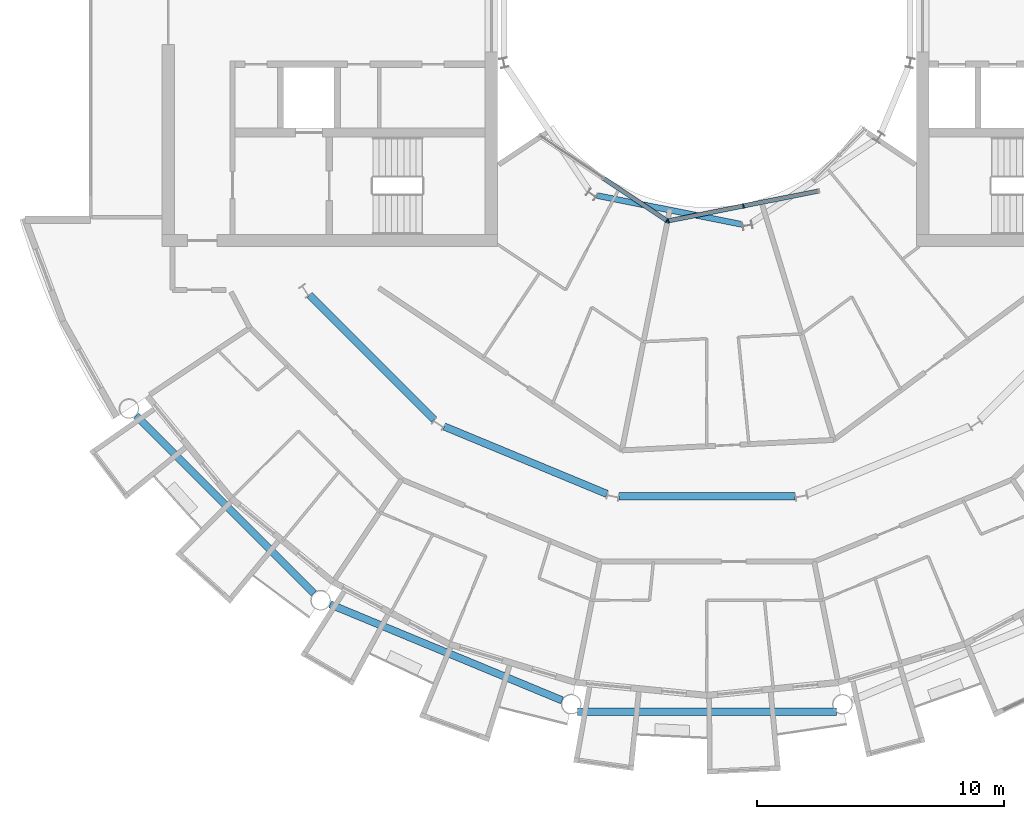
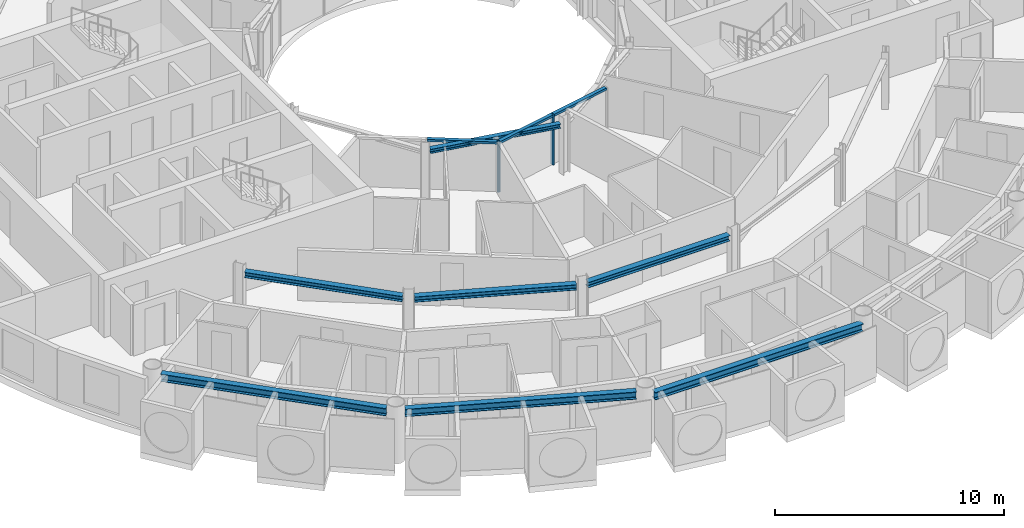
# One storey, part 5 of 27: 7 beams, 6 members, 2 elements without a shape of their own.
"""IFC4 building model written with IfcOpenShell, lengths in metres."""

from ifc_helpers import new_model, si_unit, direction, frame, origin, origin_2d, place, context, subcontext, project, spatial, rectangle, i_section, extrude, material, layer, layer_set, material_profile, profile_set, type_object, element, aggregate, save


model = new_model("IFC4")

# Units and contexts
model_context = context("Model", 3, precision=1e-05, world=origin(), true_north=direction((0.0, 1.0)))
body_context = subcontext(model_context, "Body", "Model", "MODEL_VIEW")
ifc_project = project(units=[si_unit("LENGTHUNIT", "METRE"), si_unit("AREAUNIT", "SQUARE_METRE"), si_unit("VOLUMEUNIT", "CUBIC_METRE"), si_unit("PLANEANGLEUNIT", "RADIAN"), si_unit("MASSUNIT", "GRAM", prefix="KILO")], contexts=[model_context])

# Site, building, storey
site_placement = place(None, origin())
site = spatial("IfcSite", under=ifc_project, at=site_placement, CompositionType="ELEMENT")
building_placement = place(site_placement, origin())
building = spatial("IfcBuilding", under=site, at=building_placement, Name="Maasbend Ring Residences", CompositionType="ELEMENT")
storey_placement = place(building_placement, frame((0.0, 0.0, 167.699951171875)))
storey = spatial("IfcBuildingStorey", under=building, at=storey_placement, Name="L48", CompositionType="ELEMENT", Elevation=167.699951171875)

# Curtain wall, member
ifc_material_1 = material(Name="Aluminium and clear glass", Category="aluminium")
ifc_layer = layer(ifc_material_1, 0.179931640625)
ifc_layer_set = layer_set([ifc_layer], Name="CW-W")
curtain_wall_type = type_object("IfcCurtainWallType", Name="CW-W", PredefinedType="NOTDEFINED", material=ifc_layer_set)
curtain_wall_1_placement = place(storey_placement, origin())
curtain_wall_1 = element("IfcCurtainWall", 1, at=curtain_wall_1_placement, inside=storey, type_object=curtain_wall_type, Name="Well curtain wall S1", PredefinedType="NOTDEFINED")
ifc_material_2 = material(Name="Aluminium 6063-T6", Category="aluminium")
ifc_material_profile_1 = material_profile(ifc_material_2, rectangle(XDim=0.179931640625, YDim=0.06005859375, at=origin_2d()), Name="AL 180x60")
ifc_profile_set_1 = profile_set([ifc_material_profile_1], Name="Aluminium 6063-T6")
member_type_1 = type_object("IfcMemberType", Name="CWM-W", PredefinedType="MULLION", material=ifc_profile_set_1)
member_1_placement = place(storey_placement, frame((-1.627685546875, -8.040771484375, 0.0), z_axis=(0.0, 0.0, 1.0), x_axis=(0.55557023302, 0.831469612303, 0.0)))
member_1 = element("IfcMember", 2, at=member_1_placement, type_object=member_type_1, Name="Mullion well face", PredefinedType="MULLION", context=body_context, shape_type="SweptSolid", body=[
    extrude(rectangle(XDim=0.179931640625, YDim=0.06005859375, at=origin_2d()), origin(), (0.0, 0.0, 1.0), 2.699951171875),
])

# Curtain wall, members
curtain_wall_2_placement = place(storey_placement, origin())
curtain_wall_2 = element("IfcCurtainWall", 3, at=curtain_wall_2_placement, inside=storey, type_object=curtain_wall_type, Name="Well curtain wall S2", PredefinedType="NOTDEFINED")
member_2_placement = place(storey_placement, frame((-1.5732421875, -8.0517578125, 0.0), z_axis=(0.0, 0.0, 1.0), x_axis=(-0.195090322016, 0.980785280403, 0.0)))
member_2 = element("IfcMember", 4, at=member_2_placement, type_object=member_type_1, Name="Mullion well face", PredefinedType="MULLION", context=body_context, shape_type="SweptSolid", body=[
    extrude(rectangle(XDim=0.179931640625, YDim=0.06005859375, at=origin_2d()), origin(), (0.0, 0.0, 1.0), 2.699951171875),
])
member_3_placement = place(storey_placement, frame((1.480712890625, -7.444091796875, 0.0), z_axis=(0.0, 0.0, 1.0), x_axis=(-0.195090322016, 0.980785280403, 0.0)))
member_3 = element("IfcMember", 5, at=member_3_placement, type_object=member_type_1, Name="Mullion well face", PredefinedType="MULLION", context=body_context, shape_type="SweptSolid", body=[
    extrude(rectangle(XDim=0.179931640625, YDim=0.06005859375, at=origin_2d()), origin(), (0.0, 0.0, 1.0), 2.699951171875),
])

# Member
ifc_material_3 = material(Name="Aluminium 6063-T6", Category="aluminium")
ifc_material_profile_2 = material_profile(ifc_material_3, rectangle(XDim=0.179931640625, YDim=0.1201171875, at=origin_2d()), Name="AL 180x120")
ifc_profile_set_2 = profile_set([ifc_material_profile_2], Name="Aluminium 6063-T6")
member_type_2 = type_object("IfcMemberType", Name="CWT-W", PredefinedType="USERDEFINED", material=ifc_profile_set_2)
member_4_placement = place(storey_placement, frame((-4.19189453125, -6.32763671875, 2.64013671875), z_axis=(0.831496422459, -0.555530106689, 0.0), x_axis=(0.555530106689, 0.831496422459, 0.0)))
member_4 = element("IfcMember", 6, at=member_4_placement, type_object=member_type_2, Name="Transom well face", ObjectType="TRANSOM", PredefinedType="USERDEFINED", context=body_context, shape_type="SweptSolid", body=[
    extrude(rectangle(XDim=0.179931640625, YDim=0.1201171875, at=origin_2d()), origin(), (0.0, 0.0, 1.0), 3.053955078125),
])

aggregate(curtain_wall_1, [member_1, member_4])

member_5_placement = place(storey_placement, frame((-1.5439453125, -8.0458984375, 2.64013671875), z_axis=(0.980776956105, 0.195132166424, 0.0), x_axis=(-0.195132166424, 0.980776956105, 0.0)))
member_5 = element("IfcMember", 7, at=member_5_placement, type_object=member_type_2, Name="Transom well face", ObjectType="TRANSOM", PredefinedType="USERDEFINED", context=body_context, shape_type="SweptSolid", body=[
    extrude(rectangle(XDim=0.179931640625, YDim=0.1201171875, at=origin_2d()), origin(), (0.0, 0.0, 1.0), 3.053955078125),
])

member_6_placement = place(storey_placement, frame((1.51025390625, -7.438232421875, 2.64013671875), z_axis=(0.980789210404, 0.19507056353, 0.0), x_axis=(-0.19507056353, 0.980789210404, 0.0)))
member_6 = element("IfcMember", 8, at=member_6_placement, type_object=member_type_2, Name="Transom well face", ObjectType="TRANSOM", PredefinedType="USERDEFINED", context=body_context, shape_type="SweptSolid", body=[
    extrude(rectangle(XDim=0.179931640625, YDim=0.1201171875, at=origin_2d()), origin(), (0.0, 0.0, 1.0), 3.0537109375),
])

aggregate(curtain_wall_2, [member_2, member_3, member_5, member_6])

# Beams
ifc_material_4 = material(Name="Steel S355J2", Category="steel")
ifc_material_profile_3 = material_profile(ifc_material_4, i_section(OverallWidth=0.300048828125, OverallDepth=0.2900390625, WebThickness=0.008544921875, FlangeThickness=0.013916015625, FilletRadius=0.027099609375, at=origin_2d()), Name="HEA 300")
ifc_profile_set_3 = profile_set([ifc_material_profile_3], Name="Steel S355J2")
beam_type_1 = type_object("IfcBeamType", Name="Corridor ring beam HEA 300", PredefinedType="BEAM", material=ifc_profile_set_3)
for number, where, z_axis, x_axis, name in (
    (9, (-16.11669921875, -11.0693359375, 2.554931640625), (0.707106781187, -0.707106781187, 0.0), (0.707106781187, 0.707106781187, 0.0), "Corridor ring beam"),
    (10, (-10.65380859375, -16.394287109375, 2.554931640625), (0.923871339849, -0.382703210602, 0.0), (0.382703210602, 0.923871339849, 0.0), "Corridor ring beam"),
):
    element("IfcBeam", number, at=place(storey_placement, frame(where, z_axis=z_axis, x_axis=x_axis)), inside=storey, type_object=beam_type_1, Name=name, PredefinedType="BEAM", context=body_context, shape_type="SweptSolid", body=[
        extrude(i_section(OverallWidth=0.300048828125, OverallDepth=0.2900390625, WebThickness=0.008544921875, FlangeThickness=0.013916015625, FilletRadius=0.027099609375, at=origin_2d()), origin(), (0.0, 0.0, 1.0), 7.137939453125),
    ])
beam_1_placement = place(storey_placement, frame((-3.56884765625, -19.223388671875, 2.554931640625), z_axis=(1.0, 0.0, 0.0), x_axis=(0.0, 1.0, 0.0)))
element("IfcBeam", 11, at=beam_1_placement, inside=storey, type_object=beam_type_1, Name="Corridor ring beam", PredefinedType="BEAM", context=body_context, shape_type="SweptSolid", body=[
    extrude(i_section(OverallWidth=0.300048828125, OverallDepth=0.2900390625, WebThickness=0.008544921875, FlangeThickness=0.013916015625, FilletRadius=0.027099609375, at=origin_2d()), origin(), (0.0, 0.0, 1.0), 7.1376953125),
])
ifc_material_5 = material(Name="Steel S355J2", Category="steel")
ifc_material_profile_4 = material_profile(ifc_material_5, i_section(OverallWidth=0.300048828125, OverallDepth=0.39990234375, WebThickness=0.013427734375, FlangeThickness=0.02392578125, FilletRadius=0.027099609375, at=origin_2d()), Name="HEB 400")
ifc_profile_set_4 = profile_set([ifc_material_profile_4], Name="Steel S355J2")
beam_type_2 = type_object("IfcBeamType", Name="Spandrel ring beam HEB 400", PredefinedType="SPANDREL", material=ifc_profile_set_4)
for number, where, z_axis, x_axis, name in (
    (12, (-23.159912109375, -15.95458984375, 2.5), (0.707106781187, -0.707106781187, 0.0), (0.707106781187, 0.707106781187, 0.0), "Spandrel ring beam"),
    (13, (-15.29150390625, -23.60302734375, 2.5), (0.923883676188, -0.382673428492, 0.0), (0.382673428492, 0.923883676188, 0.0), "Spandrel ring beam"),
):
    element("IfcBeam", number, at=place(storey_placement, frame(where, z_axis=z_axis, x_axis=x_axis)), inside=storey, type_object=beam_type_2, Name=name, PredefinedType="SPANDREL", context=body_context, shape_type="SweptSolid", body=[
        extrude(i_section(OverallWidth=0.300048828125, OverallDepth=0.39990234375, WebThickness=0.013427734375, FlangeThickness=0.02392578125, FilletRadius=0.027099609375, at=origin_2d()), origin(), (0.0, 0.0, 1.0), 10.18994140625),
    ])
beam_2_placement = place(storey_placement, frame((-5.2451171875, -27.9580078125, 2.5), z_axis=(1.0, 0.0, 0.0), x_axis=(0.0, 1.0, 0.0)))
element("IfcBeam", 14, at=beam_2_placement, inside=storey, type_object=beam_type_2, Name="Spandrel ring beam", PredefinedType="SPANDREL", context=body_context, shape_type="SweptSolid", body=[
    extrude(i_section(OverallWidth=0.300048828125, OverallDepth=0.39990234375, WebThickness=0.013427734375, FlangeThickness=0.02392578125, FilletRadius=0.027099609375, at=origin_2d()), origin(), (0.0, 0.0, 1.0), 10.490234375),
])
ifc_material_6 = material(Name="Steel S355J2", Category="steel")
ifc_material_profile_5 = material_profile(ifc_material_6, i_section(OverallWidth=0.239990234375, OverallDepth=0.22998046875, WebThickness=0.007568359375, FlangeThickness=0.011962890625, FilletRadius=0.02099609375, at=origin_2d()), Name="HEA 240")
ifc_profile_set_5 = profile_set([ifc_material_profile_5], Name="Steel S355J2")
beam_type_3 = type_object("IfcBeamType", Name="Well edge beam HEA 240", PredefinedType="BEAM", material=ifc_profile_set_5)
beam_3_placement = place(storey_placement, frame((-4.459716796875, -7.025390625, 2.5849609375), z_axis=(0.980778695042, -0.195123425945, 0.0), x_axis=(0.195123425945, 0.980778695042, 0.0)))
element("IfcBeam", 15, at=beam_3_placement, inside=storey, type_object=beam_type_3, Name="Well edge beam", PredefinedType="BEAM", context=body_context, shape_type="SweptSolid", body=[
    extrude(i_section(OverallWidth=0.239990234375, OverallDepth=0.22998046875, WebThickness=0.007568359375, FlangeThickness=0.011962890625, FilletRadius=0.02099609375, at=origin_2d()), origin(), (0.0, 0.0, 1.0), 6.007080078125),
])

save(model, "model.ifc")
